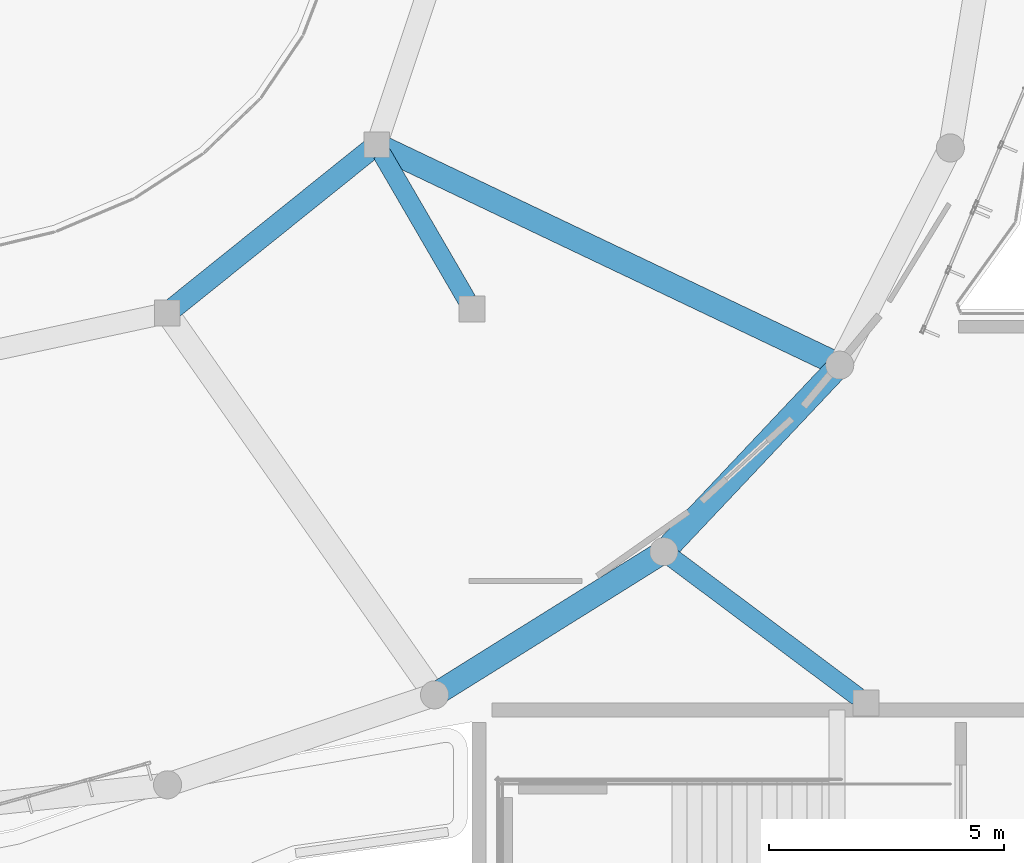
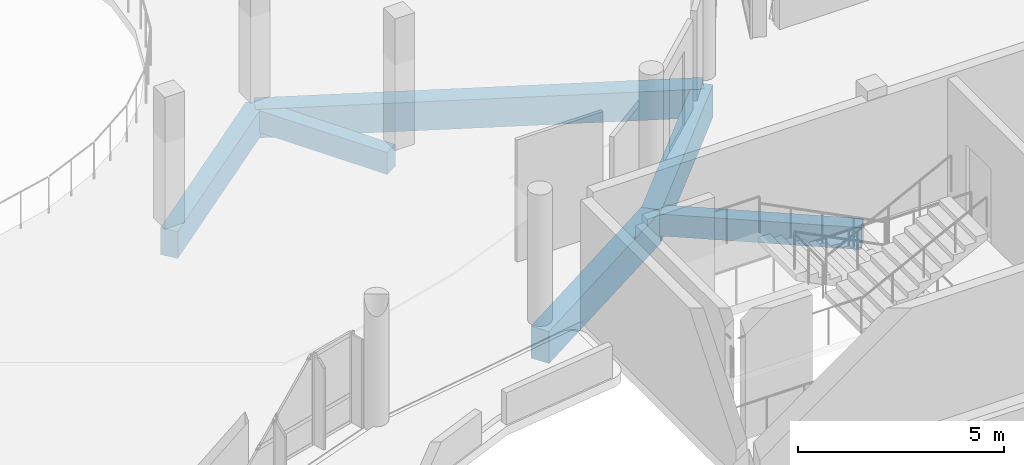
# One storey, part 30 of 74: 6 beams.
"""IFC4 building model written with IfcOpenShell, lengths in metres."""

import ifcopenshell
import ifcopenshell.guid

model = None  # the IFC model being written
_history = None  # IfcOwnerHistory: only IFC2X3 demands one
_inside = {}  # id of a spatial element -> (the spatial element, [elements in it])
_under = {}  # id of a project, library or spatial element -> (it, [spatial elements below it])
_declared = {}  # id of a project -> (the project, [libraries it declares])
_typed = {}  # id of a type object -> (the type object, [elements of that type])
_made_of = {}  # id of a material, layer set ... -> (it, [elements and type objects made of it])


def new_model(schema):
    """Start an empty IFC model of exactly this schema.

    Asked for "IFC4X3", IfcOpenShell would pick the latest addendum, in which some entities
    have other attributes; the version numbers below select the first issue.
    IFC2X3 requires an IfcOwnerHistory on every rooted entity: one is made here for all.
    """
    global model, _history
    if schema == "IFC4X3":
        model = ifcopenshell.file(schema_version=(4, 3, 0, 0))
    else:
        model = ifcopenshell.file(schema=schema)
    _inside.clear()
    _under.clear()
    _declared.clear()
    _typed.clear()
    _made_of.clear()
    _history = None
    if model.schema == "IFC2X3":
        org = make("IfcOrganization", Name="unknown")
        user = make(
            "IfcPersonAndOrganization",
            ThePerson=make("IfcPerson", FamilyName="unknown"),
            TheOrganization=org,
        )
        app = make(
            "IfcApplication",
            ApplicationDeveloper=org,
            Version="unknown",
            ApplicationFullName="unknown",
            ApplicationIdentifier="unknown",
        )
        _history = make(
            "IfcOwnerHistory",
            OwningUser=user,
            OwningApplication=app,
            ChangeAction="ADDED",
            CreationDate=0,
        )
    return model


def make(cls, **values):
    """One entity of the class cls with the attributes given. An attribute that is None is left unset."""
    return model.create_entity(
        cls, **{name: value for name, value in values.items() if value is not None}
    )


def rooted(cls, **values):
    """An entity with a GlobalId (a new one), such as an element, a storey or a relation."""
    return make(cls, GlobalId=ifcopenshell.guid.new(), OwnerHistory=_history, **values)


def si_unit(unit_type, name, prefix=None):
    """IfcSIUnit, for example si_unit("LENGTHUNIT", "METRE", prefix="MILLI")."""
    return make("IfcSIUnit", UnitType=unit_type, Prefix=prefix, Name=name)


def derived_unit(unit_type, elements):
    """IfcDerivedUnit: a product of units, each with its exponent."""
    return make(
        "IfcDerivedUnit",
        Elements=[
            make("IfcDerivedUnitElement", Unit=unit, Exponent=power)
            for unit, power in elements
        ],
        UnitType=unit_type,
    )


def assignment(units):
    """IfcUnitAssignment: the units of a project."""
    return None if units is None else make("IfcUnitAssignment", Units=units)


def point(xyz):
    """IfcCartesianPoint."""
    return None if xyz is None else make("IfcCartesianPoint", Coordinates=xyz)


def direction(xyz):
    """IfcDirection."""
    return None if xyz is None else make("IfcDirection", DirectionRatios=xyz)


def frame(location, z_axis=None, x_axis=None):
    """IfcAxis2Placement3D, a coordinate frame: its origin and axes. An axis left out is left unset."""
    return make(
        "IfcAxis2Placement3D",
        Location=point(location),
        Axis=direction(z_axis),
        RefDirection=direction(x_axis),
    )


def frame_2d(location, x_axis=None):
    """IfcAxis2Placement2D, a coordinate frame in the plane: its origin and x axis."""
    return make(
        "IfcAxis2Placement2D", Location=point(location), RefDirection=direction(x_axis)
    )


def origin():
    """The frame at (0, 0, 0) with its axes left unset."""
    return frame((0.0, 0.0, 0.0))


def origin_2d():
    """The frame at (0, 0) in the plane with its x axis left unset."""
    return frame_2d((0.0, 0.0))


def place(relative_to, where):
    """IfcLocalPlacement: puts the frame where relative to a parent placement (None: the world)."""
    return make(
        "IfcLocalPlacement", PlacementRelTo=relative_to, RelativePlacement=where
    )


def context(
    kind, dimensions, precision=None, world=None, true_north=None, identifier=None
):
    """IfcGeometricRepresentationContext, for example the 3D "Model" context."""
    return make(
        "IfcGeometricRepresentationContext",
        ContextIdentifier=identifier,
        ContextType=kind,
        CoordinateSpaceDimension=dimensions,
        Precision=precision,
        WorldCoordinateSystem=world,
        TrueNorth=true_north,
    )


def subcontext(parent, identifier, kind, view, scale=None):
    """IfcGeometricRepresentationSubContext, for example "Body" below "Model"."""
    return make(
        "IfcGeometricRepresentationSubContext",
        ContextIdentifier=identifier,
        ContextType=kind,
        ParentContext=parent,
        TargetScale=scale,
        TargetView=view,
    )


def project(units=None, contexts=None):
    """IfcProject with its units and contexts."""
    return rooted(
        "IfcProject",
        Name="project",
        RepresentationContexts=contexts,
        UnitsInContext=assignment(units),
    )


def spatial(cls, under=None, at=None, **own):
    """A site, building, storey or space (cls), placed at a placement, below another one or the project."""
    s = rooted(cls, ObjectPlacement=at, **own)
    if under is not None:
        _under.setdefault(under.id(), (under, []))[1].append(s)
    return s


def profile(cls, at=None, kind="AREA", **sizes):
    """A parametric profile (cls). Its sizes go by their IFC names, for example OverallWidth=200.0."""
    return make(cls, ProfileType=kind, Position=at, **sizes)


def rectangle(**sizes):
    """IfcRectangleProfileDef."""
    return profile("IfcRectangleProfileDef", **sizes)


def extrude(swept, where, along, depth):
    """IfcExtrudedAreaSolid: the profile swept, set in the frame where, extruded along a direction by depth."""
    return make(
        "IfcExtrudedAreaSolid",
        SweptArea=swept,
        Position=where,
        ExtrudedDirection=direction(along),
        Depth=depth,
    )


def shape(context_of_items, identifier, shape_type, items):
    """IfcShapeRepresentation: the items that make up one representation, for example the "Body"."""
    return make(
        "IfcShapeRepresentation",
        ContextOfItems=context_of_items,
        RepresentationIdentifier=identifier,
        RepresentationType=shape_type,
        Items=items,
    )


def material(Name=None, Category=None):
    """IfcMaterial."""
    return make("IfcMaterial", Name=Name, Category=Category)


def material_profile(
    of_material, cross_section, Name=None, Category=None, Priority=None
):
    """IfcMaterialProfile: a cross section and its material."""
    return make(
        "IfcMaterialProfile",
        Name=Name,
        Material=of_material,
        Profile=cross_section,
        Priority=Priority,
        Category=Category,
    )


def profile_set(profiles, Name=None, composite=None):
    """IfcMaterialProfileSet."""
    return make(
        "IfcMaterialProfileSet",
        Name=Name,
        MaterialProfiles=profiles,
        CompositeProfile=composite,
    )


def made_of(thing, what):
    """Note that an element or type object is made of a material, layer set ...; save() writes the relation."""
    if what is not None:
        _made_of.setdefault(what.id(), (what, []))[1].append(thing)
    return thing


def type_object(cls, material=None, **own):
    """A type object (cls), such as IfcWallType, which elements share."""
    return made_of(rooted(cls, **own), material)


def element(
    cls,
    number,
    at=None,
    inside=None,
    cuts=None,
    type_object=None,
    material=None,
    context=None,
    identifier="Body",
    shape_type=None,
    held_by="IfcProductDefinitionShape",
    body=None,
    shapes=None,
    **own,
):
    """One element of the class cls, such as IfcWall. Its Tag is "e" and its number.

    at: its placement. inside: the storey or other place that contains it. cuts: it is an
    opening in that element (IfcRelVoidsElement). A single representation is given by context,
    identifier, shape_type and body (its items); several are given by shapes. held_by: the class
    of the entity that holds the representations. save() writes the other relations.
    """
    e = rooted(cls, Tag="e%d" % number, ObjectPlacement=at, **own)
    if body is not None:
        shapes = [shape(context, identifier, shape_type, body)]
    if shapes is not None:
        e.Representation = make(held_by, Representations=shapes)
    if inside is not None:
        _inside.setdefault(inside.id(), (inside, []))[1].append(e)
    if cuts is not None:
        rooted(
            "IfcRelVoidsElement", RelatingBuildingElement=cuts, RelatedOpeningElement=e
        )
    if type_object is not None:
        _typed.setdefault(type_object.id(), (type_object, []))[1].append(e)
    return made_of(e, material)


def aggregate(whole, parts):
    """IfcRelAggregates: a whole, such as a stair, and the parts it consists of."""
    return rooted("IfcRelAggregates", RelatingObject=whole, RelatedObjects=parts)


def save(model, path):
    """Write the relations noted so far, then the file.

    IfcRelAggregates (storeys below a building ...), IfcRelContainedInSpatialStructure (elements
    in a storey), IfcRelDefinesByType, IfcRelAssociatesMaterial and IfcRelDeclares: one each for
    every whole, place, type object, material and project.
    """
    for whole, parts in _under.values():
        aggregate(whole, parts)
    for where, things in _inside.values():
        rooted(
            "IfcRelContainedInSpatialStructure",
            RelatedElements=things,
            RelatingStructure=where,
        )
    for kind, things in _typed.values():
        rooted("IfcRelDefinesByType", RelatedObjects=things, RelatingType=kind)
    for what, things in _made_of.values():
        rooted("IfcRelAssociatesMaterial", RelatedObjects=things, RelatingMaterial=what)
    for by, libraries in _declared.values():
        rooted("IfcRelDeclares", RelatingContext=by, RelatedDefinitions=libraries)
    model.write(path)


model = new_model("IFC4")

# Units and contexts
model_context = context("Model", 3, precision=1e-05, world=origin(), true_north=direction((0.0, 1.0)))
body_context = subcontext(model_context, "Body", "Model", "MODEL_VIEW")
ifc_project = project(units=[si_unit("LENGTHUNIT", "METRE"), si_unit("AREAUNIT", "SQUARE_METRE"), si_unit("VOLUMEUNIT", "CUBIC_METRE"), si_unit("PLANEANGLEUNIT", "RADIAN"), si_unit("MASSUNIT", "GRAM", prefix="KILO"), derived_unit("THERMALTRANSMITTANCEUNIT", [(si_unit("POWERUNIT", "WATT"), 1), (si_unit("LENGTHUNIT", "METRE"), -2), (si_unit("THERMODYNAMICTEMPERATUREUNIT", "KELVIN"), -1)])], contexts=[model_context])

# Site, building, storey
site_placement = place(None, origin())
site = spatial("IfcSite", under=ifc_project, at=site_placement, CompositionType="ELEMENT")
building_placement = place(site_placement, origin())
building = spatial("IfcBuilding", under=site, at=building_placement, Name="Elbkamm Science Centre", CompositionType="ELEMENT")
storey_placement = place(building_placement, frame((0.0, 0.0, 14.39990234375)))
storey = spatial("IfcBuildingStorey", under=building, at=storey_placement, Name="L03", CompositionType="ELEMENT", Elevation=14.39990234375)

# Beams
ifc_material = material(Name="Concrete C40/50", Category="concrete")
ifc_material_profile_1 = material_profile(ifc_material, rectangle(XDim=0.39990234375, YDim=0.64990234375, at=origin_2d()), Name="RC 400x650")
ifc_profile_set_1 = profile_set([ifc_material_profile_1], Name="Concrete C40/50")
beam_type_1 = type_object("IfcBeamType", Name="BM-RC-400x650", PredefinedType="BEAM", material=ifc_profile_set_1)
beam_1_placement = place(storey_placement, frame((75.489501953125, 58.990234375, -0.60498046875), z_axis=(-0.502465212806, 0.864597426506, 0.0), x_axis=(-0.864597426506, -0.502465212806, 0.0)))
element("IfcBeam", 1, at=beam_1_placement, inside=storey, type_object=beam_type_1, Name="L03 Perimeter Ring Tie Girder 059", PredefinedType="BEAM", context=body_context, shape_type="SweptSolid", body=[
    extrude(rectangle(XDim=0.39990234375, YDim=0.64990234375, at=origin_2d()), origin(), (0.0, 0.0, 1.0), 3.608154296875),
])
beam_2_placement = place(storey_placement, frame((83.82373046875, 50.53173828125, -0.60498046875), z_axis=(-0.80088801, 0.59881415768, 0.0), x_axis=(-0.59881415768, -0.80088801, 0.0)))
element("IfcBeam", 2, at=beam_2_placement, inside=storey, type_object=beam_type_1, Name="L03 Perimeter Ring Tie Girder 061", PredefinedType="BEAM", context=body_context, shape_type="SweptSolid", body=[
    extrude(rectangle(XDim=0.39990234375, YDim=0.64990234375, at=origin_2d()), origin(), (0.0, 0.0, 1.0), 4.94384765625),
])
ifc_material_profile_2 = material_profile(ifc_material, rectangle(XDim=0.449951171875, YDim=0.800048828125, at=origin_2d()), Name="RC 450x800")
ifc_profile_set_2 = profile_set([ifc_material_profile_2], Name="Concrete C40/50")
beam_type_2 = type_object("IfcBeamType", Name="BM-RC-450x800", PredefinedType="BEAM", material=ifc_profile_set_2)
beam_3_placement = place(storey_placement, frame((69.10009765625, 58.712890625, -0.679931640625), z_axis=(0.779632299843, 0.626237556396, 0.0), x_axis=(-0.626237556396, 0.779632299843, 0.0)))
element("IfcBeam", 3, at=beam_3_placement, inside=storey, type_object=beam_type_2, Name="L03 Atrium Ring Girder 11", PredefinedType="BEAM", context=body_context, shape_type="SweptSolid", body=[
    extrude(rectangle(XDim=0.449951171875, YDim=0.800048828125, at=origin_2d()), origin(), (0.0, 0.0, 1.0), 5.72802734375),
])
ifc_material_profile_3 = material_profile(ifc_material, rectangle(XDim=0.5, YDim=0.85009765625, at=origin_2d()), Name="RC 500x850")
ifc_profile_set_3 = profile_set([ifc_material_profile_3], Name="Concrete C40/50")
beam_type_3 = type_object("IfcBeamType", Name="BM-RC-500x850", PredefinedType="BEAM", material=ifc_profile_set_3)
beam_4_placement = place(storey_placement, frame((73.56591796875, 62.300048828125, -0.704833984375), z_axis=(0.902897249077, -0.429856438371, 0.0), x_axis=(0.429856438371, 0.902897249077, 0.0)))
element("IfcBeam", 4, at=beam_4_placement, inside=storey, type_object=beam_type_3, Name="L03 Elliptical Radial Girder 12", PredefinedType="BEAM", context=body_context, shape_type="SweptSolid", body=[
    extrude(rectangle(XDim=0.5, YDim=0.85009765625, at=origin_2d()), origin(), (0.0, 0.0, 1.0), 10.933837890625),
])
ifc_material_profile_4 = material_profile(ifc_material, rectangle(XDim=0.5, YDim=0.949951171875, at=origin_2d()), Name="RC 500x950")
ifc_profile_set_4 = profile_set([ifc_material_profile_4], Name="Concrete C40/50")
beam_type_4 = type_object("IfcBeamType", Name="BM-RC-500x950", PredefinedType="BEAM", material=ifc_profile_set_4)
beam_5_placement = place(storey_placement, frame((74.800048828125, 50.572021484375, -0.7548828125), z_axis=(0.848229099729, 0.529629487824, 0.0), x_axis=(-0.529629487824, 0.848229099729, 0.0)))
element("IfcBeam", 5, at=beam_5_placement, inside=storey, type_object=beam_type_4, Name="L03 Elliptical Shell Perimeter Ring Beam 21", PredefinedType="SPANDREL", context=body_context, shape_type="SweptSolid", body=[
    extrude(rectangle(XDim=0.5, YDim=0.949951171875, at=origin_2d()), origin(), (0.0, 0.0, 1.0), 5.762451171875),
])
beam_6_placement = place(storey_placement, frame((79.68798828125, 53.6240234375, -0.7548828125), z_axis=(0.686122314522, 0.727486198848, 0.0), x_axis=(-0.727486198848, 0.686122314522, 0.0)))
element("IfcBeam", 6, at=beam_6_placement, inside=storey, type_object=beam_type_4, Name="L03 Elliptical Shell Perimeter Ring Beam 22", PredefinedType="SPANDREL", context=body_context, shape_type="SweptSolid", body=[
    extrude(rectangle(XDim=0.5, YDim=0.949951171875, at=origin_2d()), origin(), (0.0, 0.0, 1.0), 5.465576171875),
])

save(model, "model.ifc")
